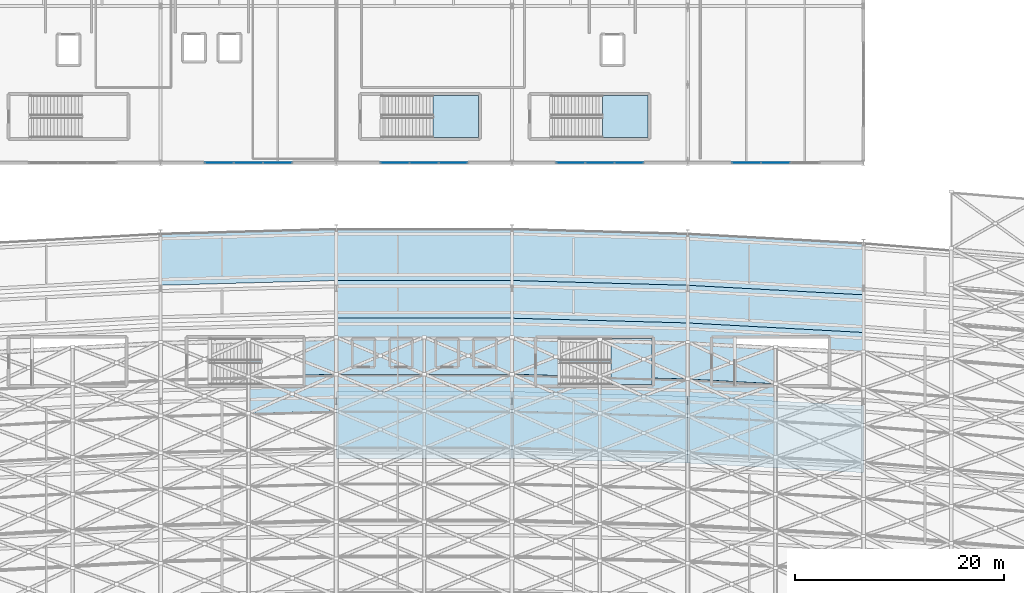
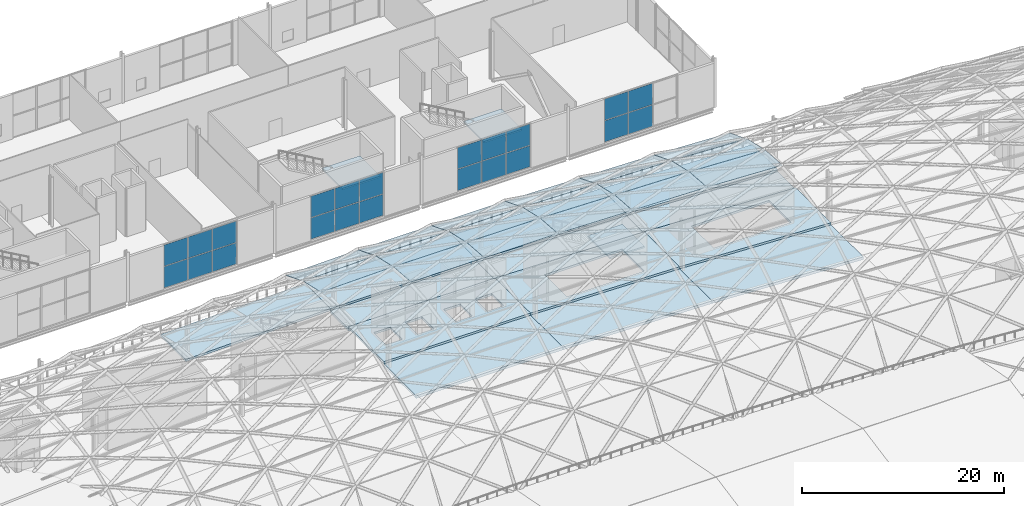
# One storey, part 68 of 100: 39 plates, 16 slabs, 7 elements without a shape of their own.
"""IFC4 building model written with IfcOpenShell, lengths in metres."""

from ifc_helpers import new_model, si_unit, direction, frame, origin, origin_2d, place, context, subcontext, project, spatial, polyline, rectangle, outline, extrude, material, layer, layer_set, type_object, element, aggregate, save


model = new_model("IFC4")

# Units and contexts
model_context = context("Model", 3, precision=1e-05, world=origin(), true_north=direction((0.0, 1.0)))
body_context = subcontext(model_context, "Body", "Model", "MODEL_VIEW")
ifc_project = project(units=[si_unit("LENGTHUNIT", "METRE"), si_unit("AREAUNIT", "SQUARE_METRE"), si_unit("VOLUMEUNIT", "CUBIC_METRE"), si_unit("PLANEANGLEUNIT", "RADIAN"), si_unit("MASSUNIT", "GRAM", prefix="KILO")], contexts=[model_context])

# Site, building, storey
site_placement = place(None, origin())
site = spatial("IfcSite", under=ifc_project, at=site_placement, CompositionType="ELEMENT")
building_placement = place(site_placement, origin())
building = spatial("IfcBuilding", under=site, at=building_placement, Name="Kimbaza Rail Terminus", CompositionType="ELEMENT")
storey_placement = place(building_placement, frame((0.0, 0.0, 10.800048828125)))
storey = spatial("IfcBuildingStorey", under=building, at=storey_placement, Name="L02", CompositionType="ELEMENT", Elevation=10.800048828125)

# Curtain wall, plates
ifc_material_1 = material(Name="Anodised aluminium framing and solar low-E glazing", Category="aluminium")
curtain_wall_type = type_object("IfcCurtainWallType", Name="ARC-CW-OP1", PredefinedType="USERDEFINED", material=ifc_material_1)
curtain_wall_1_placement = place(storey_placement, origin())
curtain_wall_1 = element("IfcCurtainWall", 1, at=curtain_wall_1_placement, inside=storey, type_object=curtain_wall_type, Name="Operations South Curtain Wall L02 Bay 3", ObjectType="UNITISED CURTAIN WALL", PredefinedType="USERDEFINED")
ifc_material_2 = material(Name="Solar-control double low-E glazing", Category="glass")
ifc_layer_1 = layer(ifc_material_2, 0.02490234375)
ifc_layer_set_1 = layer_set([ifc_layer_1], Name="Solar-control double low-E glazing")
plate_type_1 = type_object("IfcPlateType", Name="ARC-CWP-05", PredefinedType="CURTAIN_PANEL", material=ifc_layer_set_1)
plate_1_placement = place(storey_placement, frame((94.41552734375, 103.0, 0.06201171875), z_axis=(0.0, 0.0, 1.0), x_axis=(1.0, 0.0, 0.0)))
plate_1 = element("IfcPlate", 2, at=plate_1_placement, type_object=plate_type_1, Name="CW-05 panel 1.1", PredefinedType="CURTAIN_PANEL", context=body_context, shape_type="SweptSolid", body=[
    extrude(rectangle(XDim=2.70703125, YDim=0.02490234375, at=origin_2d()), origin(), (0.0, 0.0, 1.0), 2.569580078125),
])
plate_2_placement = place(storey_placement, frame((94.41552734375, 103.0, 2.693359375), z_axis=(0.0, 0.0, 1.0), x_axis=(1.0, 0.0, 0.0)))
plate_2 = element("IfcPlate", 3, at=plate_2_placement, type_object=plate_type_1, Name="CW-05 panel 1.2", PredefinedType="CURTAIN_PANEL", context=body_context, shape_type="SweptSolid", body=[
    extrude(rectangle(XDim=2.70703125, YDim=0.02490234375, at=origin_2d()), origin(), (0.0, 0.0, 1.0), 2.569580078125),
])
plate_3_placement = place(storey_placement, frame((97.199951171875, 103.0, 0.06201171875), z_axis=(0.0, 0.0, 1.0), x_axis=(1.0, 0.0, 0.0)))
plate_3 = element("IfcPlate", 4, at=plate_3_placement, type_object=plate_type_1, Name="CW-05 panel 2.1", PredefinedType="CURTAIN_PANEL", context=body_context, shape_type="SweptSolid", body=[
    extrude(rectangle(XDim=2.738037109375, YDim=0.02490234375, at=origin_2d()), origin(), (0.0, 0.0, 1.0), 2.569580078125),
])
plate_4_placement = place(storey_placement, frame((97.199951171875, 103.0, 2.693359375), z_axis=(0.0, 0.0, 1.0), x_axis=(1.0, 0.0, 0.0)))
plate_4 = element("IfcPlate", 5, at=plate_4_placement, type_object=plate_type_1, Name="CW-05 panel 2.2", PredefinedType="CURTAIN_PANEL", context=body_context, shape_type="SweptSolid", body=[
    extrude(rectangle(XDim=2.738037109375, YDim=0.02490234375, at=origin_2d()), origin(), (0.0, 0.0, 1.0), 2.569580078125),
])
plate_5_placement = place(storey_placement, frame((99.984619140625, 103.0, 0.06201171875), z_axis=(0.0, 0.0, 1.0), x_axis=(1.0, 0.0, 0.0)))
plate_5 = element("IfcPlate", 6, at=plate_5_placement, type_object=plate_type_1, Name="CW-05 panel 3.1", PredefinedType="CURTAIN_PANEL", context=body_context, shape_type="SweptSolid", body=[
    extrude(rectangle(XDim=2.70703125, YDim=0.02490234375, at=origin_2d()), origin(), (0.0, 0.0, 1.0), 2.569580078125),
])
plate_6_placement = place(storey_placement, frame((99.984619140625, 103.0, 2.693359375), z_axis=(0.0, 0.0, 1.0), x_axis=(1.0, 0.0, 0.0)))
plate_6 = element("IfcPlate", 7, at=plate_6_placement, type_object=plate_type_1, Name="CW-05 panel 3.2", PredefinedType="CURTAIN_PANEL", context=body_context, shape_type="SweptSolid", body=[
    extrude(rectangle(XDim=2.70703125, YDim=0.02490234375, at=origin_2d()), origin(), (0.0, 0.0, 1.0), 2.569580078125),
])
aggregate(curtain_wall_1, [plate_1, plate_2, plate_3, plate_4, plate_5, plate_6])

curtain_wall_2_placement = place(storey_placement, origin())
curtain_wall_2 = element("IfcCurtainWall", 8, at=curtain_wall_2_placement, inside=storey, type_object=curtain_wall_type, Name="Operations South Curtain Wall L02 Bay 4", ObjectType="UNITISED CURTAIN WALL", PredefinedType="USERDEFINED")
plate_7_placement = place(storey_placement, frame((111.215576171875, 103.0, 0.06201171875), z_axis=(0.0, 0.0, 1.0), x_axis=(1.0, 0.0, 0.0)))
plate_7 = element("IfcPlate", 9, at=plate_7_placement, type_object=plate_type_1, Name="CW-05 panel 1.1", PredefinedType="CURTAIN_PANEL", context=body_context, shape_type="SweptSolid", body=[
    extrude(rectangle(XDim=2.70703125, YDim=0.02490234375, at=origin_2d()), origin(), (0.0, 0.0, 1.0), 2.569580078125),
])
plate_8_placement = place(storey_placement, frame((111.215576171875, 103.0, 2.693359375), z_axis=(0.0, 0.0, 1.0), x_axis=(1.0, 0.0, 0.0)))
plate_8 = element("IfcPlate", 10, at=plate_8_placement, type_object=plate_type_1, Name="CW-05 panel 1.2", PredefinedType="CURTAIN_PANEL", context=body_context, shape_type="SweptSolid", body=[
    extrude(rectangle(XDim=2.70703125, YDim=0.02490234375, at=origin_2d()), origin(), (0.0, 0.0, 1.0), 2.569580078125),
])
plate_9_placement = place(storey_placement, frame((114.0, 103.0, 0.06201171875), z_axis=(0.0, 0.0, 1.0), x_axis=(1.0, 0.0, 0.0)))
plate_9 = element("IfcPlate", 11, at=plate_9_placement, type_object=plate_type_1, Name="CW-05 panel 2.1", PredefinedType="CURTAIN_PANEL", context=body_context, shape_type="SweptSolid", body=[
    extrude(rectangle(XDim=2.738037109375, YDim=0.02490234375, at=origin_2d()), origin(), (0.0, 0.0, 1.0), 2.569580078125),
])
plate_10_placement = place(storey_placement, frame((114.0, 103.0, 2.693359375), z_axis=(0.0, 0.0, 1.0), x_axis=(1.0, 0.0, 0.0)))
plate_10 = element("IfcPlate", 12, at=plate_10_placement, type_object=plate_type_1, Name="CW-05 panel 2.2", PredefinedType="CURTAIN_PANEL", context=body_context, shape_type="SweptSolid", body=[
    extrude(rectangle(XDim=2.738037109375, YDim=0.02490234375, at=origin_2d()), origin(), (0.0, 0.0, 1.0), 2.569580078125),
])
plate_11_placement = place(storey_placement, frame((116.784423828125, 103.0, 0.06201171875), z_axis=(0.0, 0.0, 1.0), x_axis=(1.0, 0.0, 0.0)))
plate_11 = element("IfcPlate", 13, at=plate_11_placement, type_object=plate_type_1, Name="CW-05 panel 3.1", PredefinedType="CURTAIN_PANEL", context=body_context, shape_type="SweptSolid", body=[
    extrude(rectangle(XDim=2.70703125, YDim=0.02490234375, at=origin_2d()), origin(), (0.0, 0.0, 1.0), 2.569580078125),
])
plate_12_placement = place(storey_placement, frame((116.784423828125, 103.0, 2.693359375), z_axis=(0.0, 0.0, 1.0), x_axis=(1.0, 0.0, 0.0)))
plate_12 = element("IfcPlate", 14, at=plate_12_placement, type_object=plate_type_1, Name="CW-05 panel 3.2", PredefinedType="CURTAIN_PANEL", context=body_context, shape_type="SweptSolid", body=[
    extrude(rectangle(XDim=2.70703125, YDim=0.02490234375, at=origin_2d()), origin(), (0.0, 0.0, 1.0), 2.569580078125),
])
aggregate(curtain_wall_2, [plate_7, plate_8, plate_9, plate_10, plate_11, plate_12])

curtain_wall_3_placement = place(storey_placement, origin())
curtain_wall_3 = element("IfcCurtainWall", 15, at=curtain_wall_3_placement, inside=storey, type_object=curtain_wall_type, Name="Operations South Curtain Wall L02 Bay 5", ObjectType="UNITISED CURTAIN WALL", PredefinedType="USERDEFINED")
plate_13_placement = place(storey_placement, frame((128.015380859375, 103.0, 0.06201171875), z_axis=(0.0, 0.0, 1.0), x_axis=(1.0, 0.0, 0.0)))
plate_13 = element("IfcPlate", 16, at=plate_13_placement, type_object=plate_type_1, Name="CW-05 panel 1.1", PredefinedType="CURTAIN_PANEL", context=body_context, shape_type="SweptSolid", body=[
    extrude(rectangle(XDim=2.70703125, YDim=0.02490234375, at=origin_2d()), origin(), (0.0, 0.0, 1.0), 2.569580078125),
])
plate_14_placement = place(storey_placement, frame((128.015380859375, 103.0, 2.693359375), z_axis=(0.0, 0.0, 1.0), x_axis=(1.0, 0.0, 0.0)))
plate_14 = element("IfcPlate", 17, at=plate_14_placement, type_object=plate_type_1, Name="CW-05 panel 1.2", PredefinedType="CURTAIN_PANEL", context=body_context, shape_type="SweptSolid", body=[
    extrude(rectangle(XDim=2.70703125, YDim=0.02490234375, at=origin_2d()), origin(), (0.0, 0.0, 1.0), 2.569580078125),
])
plate_15_placement = place(storey_placement, frame((130.800048828125, 103.0, 0.06201171875), z_axis=(0.0, 0.0, 1.0), x_axis=(1.0, 0.0, 0.0)))
plate_15 = element("IfcPlate", 18, at=plate_15_placement, type_object=plate_type_1, Name="CW-05 panel 2.1", PredefinedType="CURTAIN_PANEL", context=body_context, shape_type="SweptSolid", body=[
    extrude(rectangle(XDim=2.738037109375, YDim=0.02490234375, at=origin_2d()), origin(), (0.0, 0.0, 1.0), 2.569580078125),
])
plate_16_placement = place(storey_placement, frame((130.800048828125, 103.0, 2.693359375), z_axis=(0.0, 0.0, 1.0), x_axis=(1.0, 0.0, 0.0)))
plate_16 = element("IfcPlate", 19, at=plate_16_placement, type_object=plate_type_1, Name="CW-05 panel 2.2", PredefinedType="CURTAIN_PANEL", context=body_context, shape_type="SweptSolid", body=[
    extrude(rectangle(XDim=2.738037109375, YDim=0.02490234375, at=origin_2d()), origin(), (0.0, 0.0, 1.0), 2.569580078125),
])
plate_17_placement = place(storey_placement, frame((133.58447265625, 103.0, 0.06201171875), z_axis=(0.0, 0.0, 1.0), x_axis=(1.0, 0.0, 0.0)))
plate_17 = element("IfcPlate", 20, at=plate_17_placement, type_object=plate_type_1, Name="CW-05 panel 3.1", PredefinedType="CURTAIN_PANEL", context=body_context, shape_type="SweptSolid", body=[
    extrude(rectangle(XDim=2.70703125, YDim=0.02490234375, at=origin_2d()), origin(), (0.0, 0.0, 1.0), 2.569580078125),
])
plate_18_placement = place(storey_placement, frame((133.58447265625, 103.0, 2.693359375), z_axis=(0.0, 0.0, 1.0), x_axis=(1.0, 0.0, 0.0)))
plate_18 = element("IfcPlate", 21, at=plate_18_placement, type_object=plate_type_1, Name="CW-05 panel 3.2", PredefinedType="CURTAIN_PANEL", context=body_context, shape_type="SweptSolid", body=[
    extrude(rectangle(XDim=2.70703125, YDim=0.02490234375, at=origin_2d()), origin(), (0.0, 0.0, 1.0), 2.569580078125),
])
aggregate(curtain_wall_3, [plate_13, plate_14, plate_15, plate_16, plate_17, plate_18])

curtain_wall_4_placement = place(storey_placement, origin())
curtain_wall_4 = element("IfcCurtainWall", 22, at=curtain_wall_4_placement, inside=storey, type_object=curtain_wall_type, Name="Operations South Curtain Wall L02 Bay 6", ObjectType="UNITISED CURTAIN WALL", PredefinedType="USERDEFINED")
plate_19_placement = place(storey_placement, frame((144.8154296875, 103.0, 0.06201171875), z_axis=(0.0, 0.0, 1.0), x_axis=(1.0, 0.0, 0.0)))
plate_19 = element("IfcPlate", 23, at=plate_19_placement, type_object=plate_type_1, Name="CW-05 panel 1.1", PredefinedType="CURTAIN_PANEL", context=body_context, shape_type="SweptSolid", body=[
    extrude(rectangle(XDim=2.70703125, YDim=0.02490234375, at=origin_2d()), origin(), (0.0, 0.0, 1.0), 2.569580078125),
])
plate_20_placement = place(storey_placement, frame((144.8154296875, 103.0, 2.693359375), z_axis=(0.0, 0.0, 1.0), x_axis=(1.0, 0.0, 0.0)))
plate_20 = element("IfcPlate", 24, at=plate_20_placement, type_object=plate_type_1, Name="CW-05 panel 1.2", PredefinedType="CURTAIN_PANEL", context=body_context, shape_type="SweptSolid", body=[
    extrude(rectangle(XDim=2.70703125, YDim=0.02490234375, at=origin_2d()), origin(), (0.0, 0.0, 1.0), 2.569580078125),
])
plate_21_placement = place(storey_placement, frame((147.60009765625, 103.0, 0.06201171875), z_axis=(0.0, 0.0, 1.0), x_axis=(1.0, 0.0, 0.0)))
plate_21 = element("IfcPlate", 25, at=plate_21_placement, type_object=plate_type_1, Name="CW-05 panel 2.1", PredefinedType="CURTAIN_PANEL", context=body_context, shape_type="SweptSolid", body=[
    extrude(rectangle(XDim=2.738037109375, YDim=0.02490234375, at=origin_2d()), origin(), (0.0, 0.0, 1.0), 2.569580078125),
])
plate_22_placement = place(storey_placement, frame((147.60009765625, 103.0, 2.693359375), z_axis=(0.0, 0.0, 1.0), x_axis=(1.0, 0.0, 0.0)))
plate_22 = element("IfcPlate", 26, at=plate_22_placement, type_object=plate_type_1, Name="CW-05 panel 2.2", PredefinedType="CURTAIN_PANEL", context=body_context, shape_type="SweptSolid", body=[
    extrude(rectangle(XDim=2.738037109375, YDim=0.02490234375, at=origin_2d()), origin(), (0.0, 0.0, 1.0), 2.569580078125),
])
aggregate(curtain_wall_4, [plate_19, plate_20, plate_21, plate_22])

# Plates
ifc_material_3 = material(Name="Laminated solar-control low-E glass", Category="glass")
ifc_layer_2 = layer(ifc_material_3, 0.0400390625)
ifc_layer_set_2 = layer_set([ifc_layer_2], Name="Laminated solar-control low-E glass")
plate_type_2 = type_object("IfcPlateType", Name="ARC-PL-VGL-08", PredefinedType="SHEET", material=ifc_layer_set_2)
for number, where, z_axis, x_axis, name in (
    (27, (105.60498046875, 75.750244140625, 12.894775390625), (0.0, 0.07429189616, 0.997236538723), (1.0, 0.0, 0.0), "Vault Solar Glass Cassette VR-10-VA07"),
    (28, (114.0048828125, 75.750244140625, 12.894775390625), (0.0, 0.07429189616, 0.997236538723), (1.0, 0.0, 0.0), "Vault Solar Glass Cassette VR-11-VA07"),
):
    element("IfcPlate", number, at=place(storey_placement, frame(where, z_axis=z_axis, x_axis=x_axis)), inside=storey, type_object=plate_type_2, Name=name, PredefinedType="SHEET", context=body_context, shape_type="SweptSolid", body=[
        extrude(outline(polyline([(0.0, 0.0), (8.39013671875, 0.0), (8.39013671875, 3.5096989170500485), (0.0, 3.5096989170500485), (0.0, 0.0)])), origin(), (0.0, 0.0, -1.0), 0.0400390625),
    ])
plate_23_placement = place(storey_placement, frame((122.405029296875, 75.750244140625, 12.894775390625), z_axis=(0.0020169998, 0.07429174504, 0.997234510198), x_axis=(0.999631650075, -0.027139715685, 0.0)))
element("IfcPlate", 29, at=plate_23_placement, inside=storey, type_object=plate_type_2, Name="Vault Solar Glass Cassette VR-12-VA07", PredefinedType="SHEET", context=body_context, shape_type="SweptSolid", body=[
    extrude(outline(polyline([(0.0, 0.0), (8.392984133197373, 0.0), (8.297995128299327, 3.508413256344065), (-0.09498900489804511, 3.508413256344065), (0.0, 0.0)])), origin(), (0.0, 0.0, -1.0), 0.0400390625),
])
plate_24_placement = place(storey_placement, frame((130.804931640625, 75.5224609375, 12.894775390625), z_axis=(0.002016941108, 0.074291745049, 0.997234510316), x_axis=(0.9996316715, -0.027138926541, 0.0)))
element("IfcPlate", 30, at=plate_24_placement, inside=storey, type_object=plate_type_2, Name="Vault Solar Glass Cassette VR-13-VA07", PredefinedType="SHEET", context=body_context, shape_type="SweptSolid", body=[
    extrude(outline(polyline([(0.0, 0.0), (8.393228183895808, 0.0), (8.29824194100214, 3.5084133311232346), (-0.09498624289366717, 3.5084133311232346), (0.0, 0.0)])), origin(), (0.0, 0.0, -1.0), 0.0400390625),
])
plate_25_placement = place(storey_placement, frame((139.205078125, 75.294677734375, 12.894775390625), z_axis=(0.004036136778, 0.074291291036, 0.997228415999), x_axis=(0.998527464249, -0.054248531231, 0.0)))
element("IfcPlate", 31, at=plate_25_placement, inside=storey, type_object=plate_type_2, Name="Vault Solar Glass Cassette VR-14-VA07", PredefinedType="SHEET", context=body_context, shape_type="SweptSolid", body=[
    extrude(outline(polyline([(0.0, 0.0), (8.402265214043142, 0.0), (8.21239535473471, 3.5045593053718584), (-0.18986985930843156, 3.5045593053718584), (0.0, 0.0)])), origin(), (0.0, 0.0, -1.0), 0.0400390625),
])
ifc_material_4 = material(Name="Laminated solar-control low-E glass", Category="glass")
ifc_layer_3 = layer(ifc_material_4, 0.0419921875)
ifc_layer_set_3 = layer_set([ifc_layer_3], Name="Laminated solar-control low-E glass")
plate_type_3 = type_object("IfcPlateType", Name="ARC-PL-VGL-09", PredefinedType="SHEET", material=ifc_layer_set_3)
plate_26_placement = place(storey_placement, frame((97.205078125, 79.036865234375, 12.6337890625), z_axis=(-0.006049870328, 0.222833648259, 0.974837711762), x_axis=(0.999631650075, 0.027139715685, 0.0)))
element("IfcPlate", 32, at=plate_26_placement, inside=storey, type_object=plate_type_3, Name="Vault Solar Glass Cassette VR-09-VA08", PredefinedType="SHEET", context=body_context, shape_type="SweptSolid", body=[
    extrude(outline(polyline([(0.0, 0.0), (8.392984133197373, 0.0), (8.487973138095418, 3.5890186982422736), (0.09498900489804511, 3.5890186982422736), (0.0, 0.0)])), origin(), (0.0, 0.0, -1.0), 0.0419921875),
])
for number, where, z_axis, x_axis, name in (
    (33, (105.60498046875, 79.2646484375, 12.6337890625), (0.0, 0.222837726331, 0.974855552235), (1.0, 0.0, 0.0), "Vault Solar Glass Cassette VR-10-VA08"),
    (34, (114.0048828125, 79.2646484375, 12.6337890625), (0.0, 0.222837726331, 0.974855552235), (1.0, 0.0, 0.0), "Vault Solar Glass Cassette VR-11-VA08"),
):
    element("IfcPlate", number, at=place(storey_placement, frame(where, z_axis=z_axis, x_axis=x_axis)), inside=storey, type_object=plate_type_3, Name=name, PredefinedType="SHEET", context=body_context, shape_type="SweptSolid", body=[
        extrude(outline(polyline([(0.0, 0.0), (8.39013671875, 0.0), (8.39013671875, 3.590275494636057), (0.0, 3.590275494636057), (0.0, 0.0)])), origin(), (0.0, 0.0, -1.0), 0.0419921875),
    ])
plate_27_placement = place(storey_placement, frame((122.405029296875, 79.2646484375, 12.6337890625), z_axis=(0.006049870328, 0.222833648259, 0.974837711762), x_axis=(0.999631650075, -0.027139715685, 0.0)))
element("IfcPlate", 35, at=plate_27_placement, inside=storey, type_object=plate_type_3, Name="Vault Solar Glass Cassette VR-12-VA08", PredefinedType="SHEET", context=body_context, shape_type="SweptSolid", body=[
    extrude(outline(polyline([(0.0, 0.0), (8.392984133197373, 0.0), (8.297995128299327, 3.5890186982422736), (-0.09498900489804511, 3.5890186982422736), (0.0, 0.0)])), origin(), (0.0, 0.0, -1.0), 0.0419921875),
])
plate_28_placement = place(storey_placement, frame((130.804931640625, 79.036865234375, 12.6337890625), z_axis=(0.006043210398, 0.222833657233, 0.974837751019), x_axis=(0.999632460199, -0.027109860121, 0.0)))
element("IfcPlate", 36, at=plate_28_placement, inside=storey, type_object=plate_type_3, Name="Vault Solar Glass Cassette VR-13-VA08", PredefinedType="SHEET", context=body_context, shape_type="SweptSolid", body=[
    extrude(outline(polyline([(0.0, 0.0), (8.393221561729463, 0.0), (8.298337051307234, 3.589021462330104), (-0.09488451042222941, 3.5890214623301038), (0.0, 0.0)])), origin(), (0.0, 0.0, -1.0), 0.0419921875),
])
plate_29_placement = place(storey_placement, frame((139.205078125, 78.809326171875, 12.6337890625), z_axis=(0.012112042444, 0.222821380409, 0.974784043191), x_axis=(0.998525889878, -0.054277502176, 0.0)))
element("IfcPlate", 37, at=plate_29_placement, inside=storey, type_object=plate_type_3, Name="Vault Solar Glass Cassette VR-14-VA08", PredefinedType="SHEET", context=body_context, shape_type="SweptSolid", body=[
    extrude(outline(polyline([(0.0, 0.0), (8.402278461849958, 0.0), (8.212307204232467, 3.5852460234499133), (-0.1899712576174917, 3.5852460234499133), (0.0, 0.0)])), origin(), (0.0, 0.0, -1.0), 0.0419921875),
])
ifc_material_5 = material(Name="Laminated solar-control low-E glass", Category="glass")
ifc_layer_4 = layer(ifc_material_5, 0.0439453125)
ifc_layer_set_4 = layer_set([ifc_layer_4], Name="Laminated solar-control low-E glass")
plate_type_4 = type_object("IfcPlateType", Name="ARC-PL-VGL-10", PredefinedType="SHEET", material=ifc_layer_set_4)
plate_30_placement = place(storey_placement, frame((97.205078125, 82.552001953125, 11.8310546875), z_axis=(-0.01008657914, 0.371516926213, 0.928371388216), x_axis=(0.999631650075, 0.027139715685, 0.0)))
element("IfcPlate", 38, at=plate_30_placement, inside=storey, type_object=plate_type_4, Name="Vault Solar Glass Cassette VR-09-VA09", PredefinedType="SHEET", context=body_context, shape_type="SweptSolid", body=[
    extrude(outline(polyline([(0.0, 0.0), (8.392984133197373, 0.0), (8.487973138095418, 3.7686542472911837), (0.09498900489804511, 3.7686542472911837), (0.0, 0.0)])), origin(), (0.0, 0.0, -1.0), 0.0439453125),
])
for number, where, z_axis, x_axis, name in (
    (39, (105.60498046875, 82.77978515625, 11.8310546875), (0.0, 0.371535826551, 0.928418617645), (1.0, 0.0, 0.0), "Vault Solar Glass Cassette VR-10-VA09"),
    (40, (114.0048828125, 82.77978515625, 11.8310546875), (0.0, 0.371535826551, 0.928418617645), (1.0, 0.0, 0.0), "Vault Solar Glass Cassette VR-11-VA09"),
):
    element("IfcPlate", number, at=place(storey_placement, frame(where, z_axis=z_axis, x_axis=x_axis)), inside=storey, type_object=plate_type_4, Name=name, PredefinedType="SHEET", context=body_context, shape_type="SweptSolid", body=[
        extrude(outline(polyline([(0.0, 0.0), (8.39013671875, 0.0), (8.39013671875, 3.769851157098566), (0.0, 3.769851157098566), (0.0, 0.0)])), origin(), (0.0, 0.0, -1.0), 0.0439453125),
    ])
plate_31_placement = place(storey_placement, frame((122.405029296875, 82.77978515625, 11.8310546875), z_axis=(0.01008657914, 0.371516926213, 0.928371388216), x_axis=(0.999631650075, -0.027139715685, 0.0)))
element("IfcPlate", 41, at=plate_31_placement, inside=storey, type_object=plate_type_4, Name="Vault Solar Glass Cassette VR-12-VA09", PredefinedType="SHEET", context=body_context, shape_type="SweptSolid", body=[
    extrude(outline(polyline([(0.0, 0.0), (8.392984133197373, 0.0), (8.297995128299327, 3.7686542472911837), (-0.09498900489804511, 3.7686542472911837), (0.0, 0.0)])), origin(), (0.0, 0.0, -1.0), 0.0439453125),
])
plate_32_placement = place(storey_placement, frame((130.804931640625, 82.552001953125, 11.8310546875), z_axis=(0.010086285666, 0.371516927313, 0.928371390964), x_axis=(0.9996316715, -0.027138926541, 0.0)))
element("IfcPlate", 42, at=plate_32_placement, inside=storey, type_object=plate_type_4, Name="Vault Solar Glass Cassette VR-13-VA09", PredefinedType="SHEET", context=body_context, shape_type="SweptSolid", body=[
    extrude(outline(polyline([(0.0, 0.0), (8.393228183895808, 2.7755575615628914e-17), (8.29824194100214, 3.768654316906547), (-0.09498624289366717, 3.7686543169065465), (0.0, 0.0)])), origin(), (0.0, 0.0, -1.0), 0.0439453125),
])
plate_33_placement = place(storey_placement, frame((139.205078125, 82.32421875, 11.8310546875), z_axis=(0.020180885247, 0.371460161495, 0.928229540735), x_axis=(0.998527464249, -0.054248531231, 0.0)))
element("IfcPlate", 43, at=plate_33_placement, inside=storey, type_object=plate_type_4, Name="Vault Solar Glass Cassette VR-14-VA09", PredefinedType="SHEET", context=body_context, shape_type="SweptSolid", body=[
    extrude(outline(polyline([(0.0, 0.0), (8.402265214043142, -5.551115123125783e-17), (8.21239535473471, 3.7650666904058414), (-0.18986985930843156, 3.7650666904058414), (0.0, 0.0)])), origin(), (0.0, 0.0, -1.0), 0.0439453125),
])

# Stair, slab
ifc_material_6 = material(Name="Concrete C40/50", Category="concrete")
stair_type_1 = type_object("IfcStairType", Name="ARC-STR-01", PredefinedType="HALF_TURN_STAIR", material=ifc_material_6)
stair_1_placement = place(storey_placement, origin())
stair_1 = element("IfcStair", 44, at=stair_1_placement, inside=storey, type_object=stair_type_1, Name="L02 Operations Central Exit Stair", PredefinedType="HALF_TURN_STAIR")
ifc_material_7 = material(Name="Concrete C40/50", Category="concrete")
ifc_layer_5 = layer(ifc_material_7, 0.199951171875)
ifc_layer_set_5 = layer_set([ifc_layer_5], Name="Concrete C40/50")
slab_type_1 = type_object("IfcSlabType", Name="STR-SL-LND200", PredefinedType="LANDING", material=ifc_layer_set_5)
slab_1_placement = place(storey_placement, frame((0.0, 0.0, 2.800048828125)))
slab_1 = element("IfcSlab", 45, at=slab_1_placement, type_object=slab_type_1, Name="ST-M1 landing 1", PredefinedType="LANDING", context=body_context, shape_type="SweptSolid", body=[
    extrude(outline(polyline([(114.8701171875, 105.39990234375), (119.199951171875, 105.39990234375), (119.199951171875, 109.43994140625), (114.8701171875, 109.43994140625), (114.8701171875, 105.39990234375)])), origin(), (0.0, 0.0, 1.0), 0.199951171875),
])
aggregate(stair_1, [slab_1])

stair_2_placement = place(storey_placement, origin())
stair_2 = element("IfcStair", 46, at=stair_2_placement, inside=storey, type_object=stair_type_1, Name="L02 Operations East Exit Stair", PredefinedType="HALF_TURN_STAIR")
slab_2_placement = place(storey_placement, frame((0.0, 0.0, 2.800048828125)))
slab_2 = element("IfcSlab", 47, at=slab_2_placement, type_object=slab_type_1, Name="ST-E1 landing 1", PredefinedType="LANDING", context=body_context, shape_type="SweptSolid", body=[
    extrude(outline(polyline([(131.070068359375, 105.39990234375), (135.39990234375, 105.39990234375), (135.39990234375, 109.43994140625), (131.070068359375, 109.43994140625), (131.070068359375, 105.39990234375)])), origin(), (0.0, 0.0, 1.0), 0.199951171875),
])
aggregate(stair_2, [slab_2])

ifc_material_8 = material(Name="Concrete C40/50", Category="concrete")
stair_type_2 = type_object("IfcStairType", Name="ARC-STR-05", PredefinedType="HALF_TURN_STAIR", material=ifc_material_8)
stair_3_placement = place(storey_placement, origin())
stair_3 = element("IfcStair", 48, at=stair_3_placement, inside=storey, type_object=stair_type_2, Name="L02 Footbridge East Platform Stair", PredefinedType="HALF_TURN_STAIR")
slab_3_placement = place(storey_placement, frame((0.0, 0.0, 2.800048828125)))
slab_3 = element("IfcSlab", 49, at=slab_3_placement, type_object=slab_type_1, Name="ST-C4 landing 1", PredefinedType="LANDING", context=body_context, shape_type="SweptSolid", body=[
    extrude(outline(polyline([(131.85009765625, 81.800048828125), (135.800048828125, 81.800048828125), (135.800048828125, 86.199951171875), (131.85009765625, 86.199951171875), (131.85009765625, 81.800048828125)])), origin(), (0.0, 0.0, 1.0), 0.199951171875),
])
aggregate(stair_3, [slab_3])

# Slabs
ifc_material_9 = material(Name="Precast concrete C40/50", Category="concrete")
ifc_layer_6 = layer(ifc_material_9, 0.260009765625)
ifc_layer_set_6 = layer_set([ifc_layer_6], Name="Precast concrete C40/50")
slab_type_2 = type_object("IfcSlabType", Name="STR-SL-PLT260", PredefinedType="FLOOR", material=ifc_layer_set_6)
slab_4_placement = place(storey_placement, frame((0.0, 0.0, -0.260009765625)))
element("IfcSlab", 50, at=slab_4_placement, inside=storey, type_object=slab_type_2, Name="Viaduct Platform 6 North Intercity Bay 05", PredefinedType="FLOOR", context=body_context, shape_type="SweptSolid", body=[
    extrude(outline(polyline([(88.800048828125, 91.28759765625), (105.60009765625, 91.7431640625), (105.60009765625, 96.7431640625), (88.800048828125, 96.28759765625), (88.800048828125, 91.28759765625)])), origin(), (0.0, 0.0, 1.0), 0.260009765625),
])
slab_5_placement = place(storey_placement, frame((0.0, 0.0, -0.260009765625)))
element("IfcSlab", 51, at=slab_5_placement, inside=storey, type_object=slab_type_2, Name="Viaduct Platform 4-5 North Island Bay 06", PredefinedType="FLOOR", context=body_context, shape_type="SweptSolid", body=[
    extrude(outline(polyline([(105.60009765625, 81.14306640625), (122.39990234375, 81.14306640625), (122.39990234375, 88.14306640625), (105.60009765625, 88.14306640625), (105.60009765625, 81.14306640625)]), holes=[polyline([(107.25, 83.60009765625), (109.14990234375, 83.60009765625), (109.14990234375, 86.0), (107.25, 86.0), (107.25, 83.60009765625)]), polyline([(110.85009765625, 83.60009765625), (112.75, 83.60009765625), (112.75, 86.0), (110.85009765625, 86.0), (110.85009765625, 83.60009765625)]), polyline([(115.25, 83.60009765625), (117.14990234375, 83.60009765625), (117.14990234375, 86.0), (115.25, 86.0), (115.25, 83.60009765625)]), polyline([(118.85009765625, 83.60009765625), (120.75, 83.60009765625), (120.75, 86.0), (118.85009765625, 86.0), (118.85009765625, 83.60009765625)])]), origin(), (0.0, 0.0, 1.0), 0.260009765625),
])
slab_6_placement = place(storey_placement, frame((0.0, 0.0, -0.260009765625)))
element("IfcSlab", 52, at=slab_6_placement, inside=storey, type_object=slab_type_2, Name="Viaduct Platform 6 North Intercity Bay 06", PredefinedType="FLOOR", context=body_context, shape_type="SweptSolid", body=[
    extrude(outline(polyline([(105.60009765625, 91.7431640625), (122.39990234375, 91.7431640625), (122.39990234375, 96.7431640625), (105.60009765625, 96.7431640625), (105.60009765625, 91.7431640625)])), origin(), (0.0, 0.0, 1.0), 0.260009765625),
])
slab_7_placement = place(storey_placement, frame((0.0, 0.0, -0.260009765625)))
element("IfcSlab", 53, at=slab_7_placement, inside=storey, type_object=slab_type_2, Name="Viaduct Platform 4-5 North Island Bay 07", PredefinedType="FLOOR", context=body_context, shape_type="SweptSolid", body=[
    extrude(outline(polyline([(122.39990234375, 81.14306640625), (139.199951171875, 80.687744140625), (139.199951171875, 87.687744140625), (122.39990234375, 88.14306640625), (122.39990234375, 81.14306640625)]), holes=[polyline([(126.925048828125, 81.800048828125), (135.800048828125, 81.800048828125), (135.800048828125, 86.199951171875), (126.925048828125, 86.199951171875), (126.925048828125, 81.800048828125)])]), origin(), (0.0, 0.0, 1.0), 0.260009765625),
])
slab_8_placement = place(storey_placement, frame((0.0, 0.0, -0.260009765625)))
element("IfcSlab", 54, at=slab_8_placement, inside=storey, type_object=slab_type_2, Name="Viaduct Platform 6 North Intercity Bay 07", PredefinedType="FLOOR", context=body_context, shape_type="SweptSolid", body=[
    extrude(outline(polyline([(122.39990234375, 91.7431640625), (139.199951171875, 91.28759765625), (139.199951171875, 96.28759765625), (122.39990234375, 96.7431640625), (122.39990234375, 91.7431640625)])), origin(), (0.0, 0.0, 1.0), 0.260009765625),
])
slab_9_placement = place(storey_placement, frame((0.0, 0.0, -0.260009765625)))
element("IfcSlab", 55, at=slab_9_placement, inside=storey, type_object=slab_type_2, Name="Viaduct Platform 4-5 North Island Bay 08", PredefinedType="FLOOR", context=body_context, shape_type="SweptSolid", body=[
    extrude(outline(polyline([(139.199951171875, 80.687744140625), (156.0, 79.77587890625), (156.0, 86.77587890625), (139.199951171875, 87.687744140625), (139.199951171875, 80.687744140625)]), holes=[polyline([(143.72509765625, 81.800048828125), (152.60009765625, 81.800048828125), (152.60009765625, 86.199951171875), (143.72509765625, 86.199951171875), (143.72509765625, 81.800048828125)])]), origin(), (0.0, 0.0, 1.0), 0.260009765625),
])
slab_10_placement = place(storey_placement, frame((0.0, 0.0, -0.260009765625)))
element("IfcSlab", 56, at=slab_10_placement, inside=storey, type_object=slab_type_2, Name="Viaduct Platform 6 North Intercity Bay 08", PredefinedType="FLOOR", context=body_context, shape_type="SweptSolid", body=[
    extrude(outline(polyline([(139.199951171875, 91.28759765625), (156.0, 90.375732421875), (156.0, 95.375732421875), (139.199951171875, 96.28759765625), (139.199951171875, 91.28759765625)])), origin(), (0.0, 0.0, 1.0), 0.260009765625),
])
ifc_material_10 = material(Name="Concrete C40/50", Category="concrete")
ifc_layer_7 = layer(ifc_material_10, 0.320068359375)
ifc_layer_set_7 = layer_set([ifc_layer_7], Name="Concrete C40/50")
slab_type_3 = type_object("IfcSlabType", Name="STR-SL-TRK320", PredefinedType="FLOOR", material=ifc_layer_set_7)
slab_11_placement = place(storey_placement, frame((0.0, 0.0, -0.570068359375)))
element("IfcSlab", 57, at=slab_11_placement, inside=storey, type_object=slab_type_3, Name="Viaduct Track Bed 3-4 Bay 06", PredefinedType="FLOOR", context=body_context, shape_type="SweptSolid", body=[
    extrude(outline(polyline([(105.60009765625, 74.7431640625), (122.39990234375, 74.7431640625), (122.39990234375, 81.14306640625), (105.60009765625, 81.14306640625), (105.60009765625, 74.7431640625)])), origin(), (0.0, 0.0, 1.0), 0.320068359375),
])
slab_12_placement = place(storey_placement, frame((0.0, 0.0, -0.570068359375)))
element("IfcSlab", 58, at=slab_12_placement, inside=storey, type_object=slab_type_3, Name="Viaduct Track Bed 5-6 Bay 06", PredefinedType="FLOOR", context=body_context, shape_type="SweptSolid", body=[
    extrude(outline(polyline([(105.60009765625, 88.14306640625), (122.39990234375, 88.14306640625), (122.39990234375, 91.7431640625), (105.60009765625, 91.7431640625), (105.60009765625, 88.14306640625)])), origin(), (0.0, 0.0, 1.0), 0.320068359375),
])
slab_13_placement = place(storey_placement, frame((0.0, 0.0, -0.570068359375)))
element("IfcSlab", 59, at=slab_13_placement, inside=storey, type_object=slab_type_3, Name="Viaduct Track Bed 3-4 Bay 07", PredefinedType="FLOOR", context=body_context, shape_type="SweptSolid", body=[
    extrude(outline(polyline([(122.39990234375, 74.7431640625), (139.199951171875, 74.28759765625), (139.199951171875, 80.687744140625), (122.39990234375, 81.14306640625), (122.39990234375, 74.7431640625)])), origin(), (0.0, 0.0, 1.0), 0.320068359375),
])
slab_14_placement = place(storey_placement, frame((0.0, 0.0, -0.570068359375)))
element("IfcSlab", 60, at=slab_14_placement, inside=storey, type_object=slab_type_3, Name="Viaduct Track Bed 5-6 Bay 07", PredefinedType="FLOOR", context=body_context, shape_type="SweptSolid", body=[
    extrude(outline(polyline([(122.39990234375, 88.14306640625), (139.199951171875, 87.687744140625), (139.199951171875, 91.28759765625), (122.39990234375, 91.7431640625), (122.39990234375, 88.14306640625)])), origin(), (0.0, 0.0, 1.0), 0.320068359375),
])
slab_15_placement = place(storey_placement, frame((0.0, 0.0, -0.570068359375)))
element("IfcSlab", 61, at=slab_15_placement, inside=storey, type_object=slab_type_3, Name="Viaduct Track Bed 3-4 Bay 08", PredefinedType="FLOOR", context=body_context, shape_type="SweptSolid", body=[
    extrude(outline(polyline([(139.199951171875, 74.28759765625), (156.0, 73.375732421875), (156.0, 79.77587890625), (139.199951171875, 80.687744140625), (139.199951171875, 74.28759765625)])), origin(), (0.0, 0.0, 1.0), 0.320068359375),
])
slab_16_placement = place(storey_placement, frame((0.0, 0.0, -0.570068359375)))
element("IfcSlab", 62, at=slab_16_placement, inside=storey, type_object=slab_type_3, Name="Viaduct Track Bed 5-6 Bay 08", PredefinedType="FLOOR", context=body_context, shape_type="SweptSolid", body=[
    extrude(outline(polyline([(139.199951171875, 87.687744140625), (156.0, 86.77587890625), (156.0, 90.375732421875), (139.199951171875, 91.28759765625), (139.199951171875, 87.687744140625)])), origin(), (0.0, 0.0, 1.0), 0.320068359375),
])

save(model, "model.ifc")
